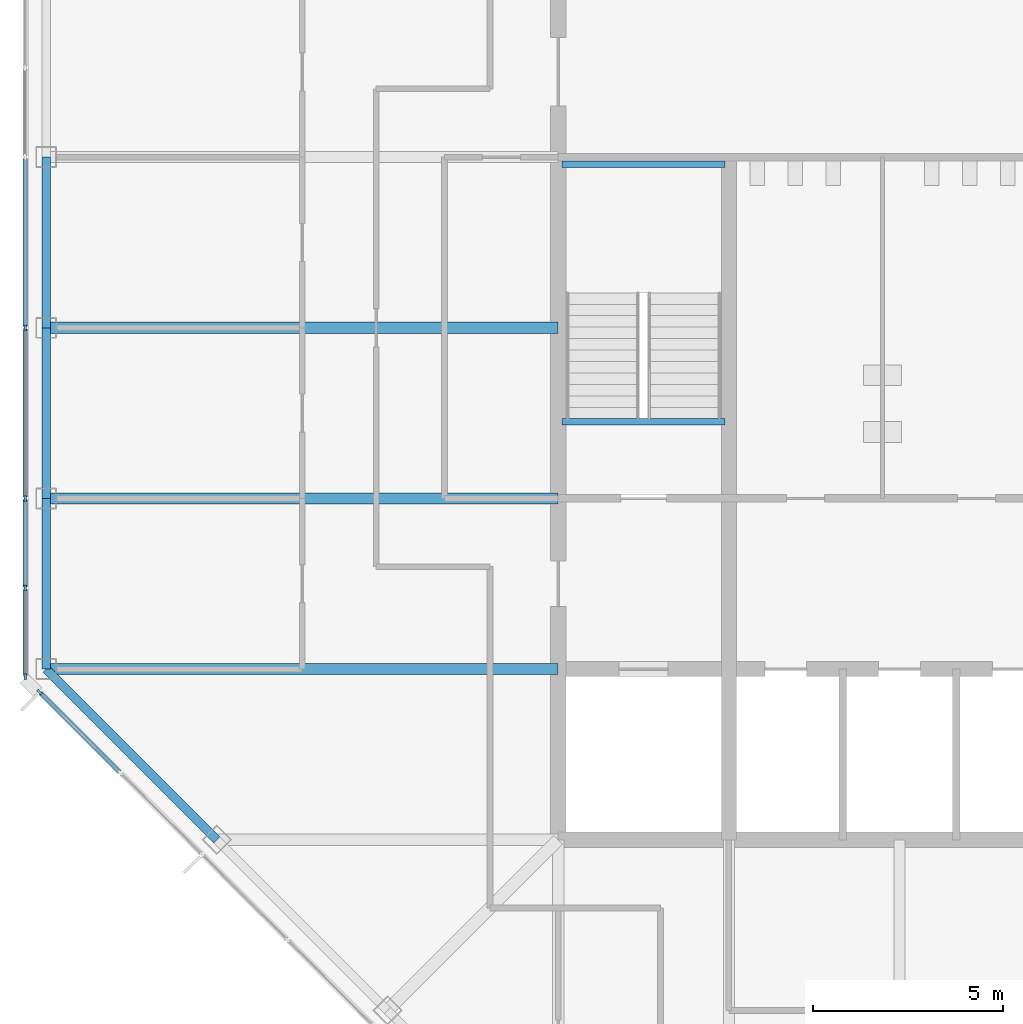
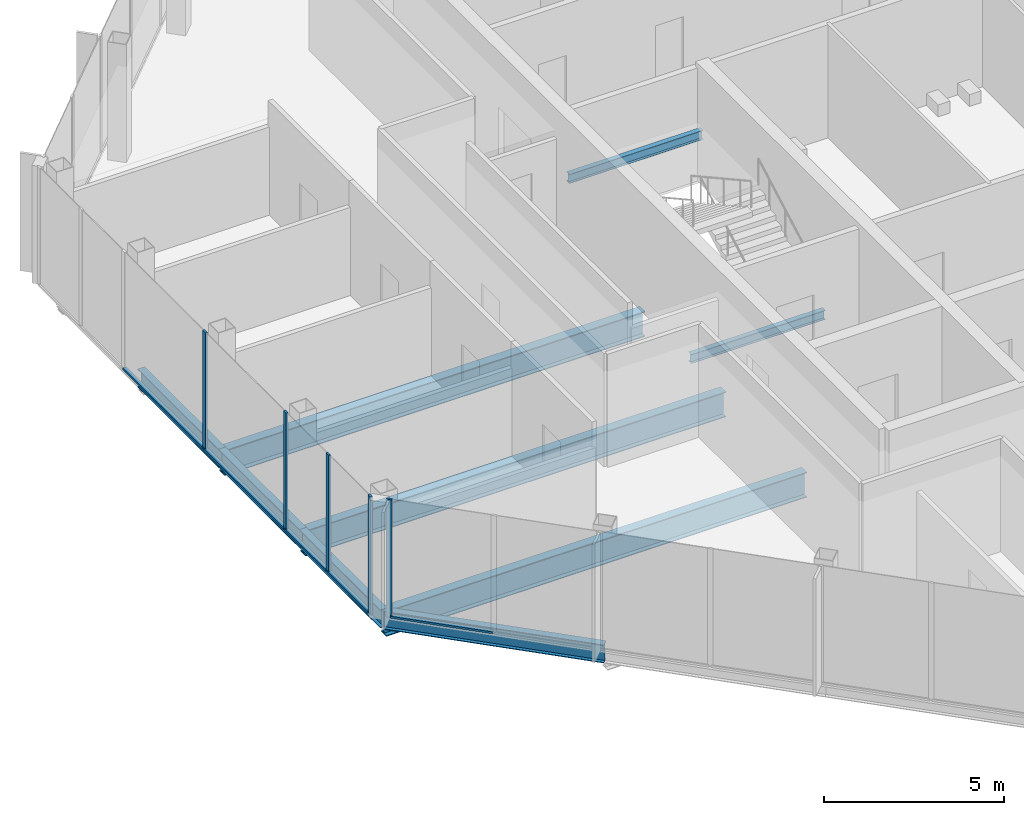
# One storey, part 3 of 14: 10 members, 9 beams, 2 elements without a shape of their own.
"""IFC4 building model written with IfcOpenShell, lengths in metres."""

from ifc_helpers import new_model, si_unit, direction, frame, origin, origin_2d, place, context, subcontext, project, spatial, rectangle, i_section, extrude, material, material_profile, profile_set, type_object, element, aggregate, save


model = new_model("IFC4")

# Units and contexts
model_context = context("Model", 3, precision=1e-05, world=origin(), true_north=direction((0.0, 1.0)))
body_context = subcontext(model_context, "Body", "Model", "MODEL_VIEW")
ifc_project = project(units=[si_unit("LENGTHUNIT", "METRE"), si_unit("AREAUNIT", "SQUARE_METRE"), si_unit("VOLUMEUNIT", "CUBIC_METRE"), si_unit("PLANEANGLEUNIT", "RADIAN"), si_unit("MASSUNIT", "GRAM", prefix="KILO")], contexts=[model_context])

# Site, building, storey
site_placement = place(None, origin())
site = spatial("IfcSite", under=ifc_project, at=site_placement, CompositionType="ELEMENT")
building_placement = place(site_placement, origin())
building = spatial("IfcBuilding", under=site, at=building_placement, Name="Corais Broadcast Tower", CompositionType="ELEMENT")
storey_placement = place(building_placement, frame((0.0, 0.0, 294.60009765625)))
storey = spatial("IfcBuildingStorey", under=building, at=storey_placement, Name="L69", CompositionType="ELEMENT", Elevation=294.60009765625)

# Beams
ifc_material_1 = material(Name="Steel ASTM A572 Grade 50", Category="steel")
ifc_material_profile_1 = material_profile(ifc_material_1, i_section(OverallWidth=0.2939453125, OverallDepth=0.85107421875, WebThickness=0.01611328125, FlangeThickness=0.02685546875, at=origin_2d()), Name="W840x226")
ifc_profile_set_1 = profile_set([ifc_material_profile_1], Name="Steel ASTM A572 Grade 50")
beam_type_1 = type_object("IfcBeamType", Name="Floor beam W840x226", PredefinedType="BEAM", material=ifc_profile_set_1)
for number, where, z_axis, x_axis, name in (
    (1, (0.0, 18.0, -0.585693359375), (1.0, 0.0, 0.0), (0.0, 1.0, 0.0), "B1 E/3 to E/6"),
    (2, (0.0, 22.5, -0.585693359375), (1.0, 0.0, 0.0), (0.0, 1.0, 0.0), "B1 F/3 to F/6"),
    (3, (0.0, 27.0, -0.585693359375), (1.0, 0.0, 0.0), (0.0, 1.0, 0.0), "B1 G/3 to G/6"),
):
    element("IfcBeam", number, at=place(storey_placement, frame(where, z_axis=z_axis, x_axis=x_axis)), inside=storey, type_object=beam_type_1, Name=name, PredefinedType="BEAM", context=body_context, shape_type="SweptSolid", body=[
        extrude(i_section(OverallWidth=0.2939453125, OverallDepth=0.85107421875, WebThickness=0.01611328125, FlangeThickness=0.02685546875, at=origin_2d()), origin(), (0.0, 0.0, 1.0), 13.5),
    ])
ifc_material_2 = material(Name="Steel ASTM A572 Grade 50", Category="steel")
ifc_material_profile_2 = material_profile(ifc_material_2, i_section(OverallWidth=0.1650390625, OverallDepth=0.31005859375, WebThickness=0.005859375, FlangeThickness=0.009765625, at=origin_2d()), Name="W310x38.7")
ifc_profile_set_2 = profile_set([ifc_material_profile_2], Name="Steel ASTM A572 Grade 50")
beam_type_2 = type_object("IfcBeamType", Name="Landing trimmer W310x38.7", PredefinedType="BEAM", material=ifc_profile_set_2)
for number, where, z_axis, x_axis, name in (
    (4, (13.60009765625, 24.52490234375, -0.35498046875), (1.0, 0.0, 0.0), (0.0, 1.0, 0.0), "LT1 stair A landing trimmer L69"),
    (5, (13.60009765625, 31.31005859375, 1.64501953125), (1.0, 0.0, 0.0), (0.0, 1.0, 0.0), "LT1 stair A half landing trimmer L69"),
):
    element("IfcBeam", number, at=place(storey_placement, frame(where, z_axis=z_axis, x_axis=x_axis)), inside=storey, type_object=beam_type_2, Name=name, PredefinedType="BEAM", context=body_context, shape_type="SweptSolid", body=[
        extrude(i_section(OverallWidth=0.1650390625, OverallDepth=0.31005859375, WebThickness=0.005859375, FlangeThickness=0.009765625, at=origin_2d()), origin(), (0.0, 0.0, 1.0), 4.2998046875),
    ])

# Curtain wall, member
ifc_material_3 = material(Name="Aluminium and glass", Category="aluminium")
curtain_wall_type = type_object("IfcCurtainWallType", Name="Unitised fritted curtain wall CW3", PredefinedType="NOTDEFINED", material=ifc_material_3)
curtain_wall_1_placement = place(storey_placement, origin())
curtain_wall_1 = element("IfcCurtainWall", 6, at=curtain_wall_1_placement, inside=storey, type_object=curtain_wall_type, Name="CW3 curtain wall L69 1", PredefinedType="NOTDEFINED")
ifc_material_4 = material(Name="Aluminium 6063-T6", Category="aluminium")
ifc_material_profile_3 = material_profile(ifc_material_4, rectangle(XDim=0.06494140625, YDim=0.159912109375, at=origin_2d()), Name="Mullion CW3 65x160")
ifc_profile_set_3 = profile_set([ifc_material_profile_3], Name="Aluminium 6063-T6")
member_type_1 = type_object("IfcMemberType", Name="Mullion CW3 65x160", PredefinedType="MULLION", material=ifc_profile_set_3)
member_1_placement = place(storey_placement, frame((-0.17333984375, 17.3955078125, 0.0), z_axis=(0.0, 0.0, 1.0), x_axis=(-0.707106781187, -0.707106781187, 0.0)))
member_1 = element("IfcMember", 7, at=member_1_placement, type_object=member_type_1, Name="CW3 mullion 9", PredefinedType="MULLION", context=body_context, shape_type="SweptSolid", body=[
    extrude(rectangle(XDim=0.06494140625, YDim=0.159912109375, at=origin_2d()), origin(), (0.0, 0.0, 1.0), 4.0),
])

# Curtain wall, members
curtain_wall_2_placement = place(storey_placement, origin())
curtain_wall_2 = element("IfcCurtainWall", 8, at=curtain_wall_2_placement, inside=storey, type_object=curtain_wall_type, Name="CW3 curtain wall L69 2", PredefinedType="NOTDEFINED")
member_2_placement = place(storey_placement, frame((-0.550048828125, 17.8046875, 0.0), z_axis=(0.0, 0.0, 1.0), x_axis=(-1.0, 0.0, 0.0)))
member_2 = element("IfcMember", 9, at=member_2_placement, type_object=member_type_1, Name="CW3 mullion 1", PredefinedType="MULLION", context=body_context, shape_type="SweptSolid", body=[
    extrude(rectangle(XDim=0.06494140625, YDim=0.159912109375, at=origin_2d()), origin(), (0.0, 0.0, 1.0), 4.0),
])
member_3_placement = place(storey_placement, frame((-0.550048828125, 20.135986328125, 0.0), z_axis=(0.0, 0.0, 1.0), x_axis=(-1.0, 0.0, 0.0)))
member_3 = element("IfcMember", 10, at=member_3_placement, type_object=member_type_1, Name="CW3 mullion 2", PredefinedType="MULLION", context=body_context, shape_type="SweptSolid", body=[
    extrude(rectangle(XDim=0.06494140625, YDim=0.159912109375, at=origin_2d()), origin(), (0.0, 0.0, 1.0), 4.0),
])
member_4_placement = place(storey_placement, frame((-0.550048828125, 22.5, 0.0), z_axis=(0.0, 0.0, 1.0), x_axis=(-1.0, 0.0, 0.0)))
member_4 = element("IfcMember", 11, at=member_4_placement, type_object=member_type_1, Name="CW3 mullion 3", PredefinedType="MULLION", context=body_context, shape_type="SweptSolid", body=[
    extrude(rectangle(XDim=0.06494140625, YDim=0.159912109375, at=origin_2d()), origin(), (0.0, 0.0, 1.0), 4.0),
])
member_5_placement = place(storey_placement, frame((-0.550048828125, 27.0, 0.0), z_axis=(0.0, 0.0, 1.0), x_axis=(-1.0, 0.0, 0.0)))
member_5 = element("IfcMember", 12, at=member_5_placement, type_object=member_type_1, Name="CW3 mullion 4", PredefinedType="MULLION", context=body_context, shape_type="SweptSolid", body=[
    extrude(rectangle(XDim=0.06494140625, YDim=0.159912109375, at=origin_2d()), origin(), (0.0, 0.0, 1.0), 4.0),
])

# Beams
ifc_material_5 = material(Name="Steel ASTM A572 Grade 50", Category="steel")
ifc_material_profile_4 = material_profile(ifc_material_5, i_section(OverallWidth=0.22998046875, OverallDepth=0.616943359375, WebThickness=0.01318359375, FlangeThickness=0.022216796875, at=origin_2d()), Name="W610x140")
ifc_profile_set_4 = profile_set([ifc_material_profile_4], Name="Steel ASTM A572 Grade 50")
beam_type_3 = type_object("IfcBeamType", Name="Spandrel W610x140", PredefinedType="BEAM", material=ifc_profile_set_4)
beam_placement = place(storey_placement, frame((0.0, 18.0, -0.468505859375), z_axis=(0.707106781187, -0.707106781187, 0.0), x_axis=(0.707106781187, 0.707106781187, 0.0)))
element("IfcBeam", 13, at=beam_placement, inside=storey, type_object=beam_type_3, Name="SB3 E/3 to D/4", PredefinedType="BEAM", context=body_context, shape_type="SweptSolid", body=[
    extrude(i_section(OverallWidth=0.22998046875, OverallDepth=0.616943359375, WebThickness=0.01318359375, FlangeThickness=0.022216796875, at=origin_2d()), origin(), (0.0, 0.0, 1.0), 6.364013671875),
])
for number, where, z_axis, x_axis, name in (
    (14, (0.0, 22.5, -0.468505859375), (0.0, -1.0, 0.0), (1.0, 0.0, 0.0), "SB3 F/3 to E/3"),
    (15, (0.0, 27.0, -0.468505859375), (0.0, -1.0, 0.0), (1.0, 0.0, 0.0), "SB3 G/3 to F/3"),
    (16, (0.0, 31.5, -0.468505859375), (0.0, -1.0, 0.0), (1.0, 0.0, 0.0), "SB3 H/3 to G/3"),
):
    element("IfcBeam", number, at=place(storey_placement, frame(where, z_axis=z_axis, x_axis=x_axis)), inside=storey, type_object=beam_type_3, Name=name, PredefinedType="BEAM", context=body_context, shape_type="SweptSolid", body=[
        extrude(i_section(OverallWidth=0.22998046875, OverallDepth=0.616943359375, WebThickness=0.01318359375, FlangeThickness=0.022216796875, at=origin_2d()), origin(), (0.0, 0.0, 1.0), 4.5),
    ])

# Member
ifc_material_6 = material(Name="Aluminium 6063-T6", Category="aluminium")
ifc_material_profile_5 = material_profile(ifc_material_6, rectangle(XDim=0.1201171875, YDim=0.06494140625, at=origin_2d()), Name="Transom CW3 65x120")
ifc_profile_set_5 = profile_set([ifc_material_profile_5], Name="Aluminium 6063-T6")
member_type_2 = type_object("IfcMemberType", Name="Transom CW3 65x120", PredefinedType="USERDEFINED", material=ifc_profile_set_5)
member_6_placement = place(storey_placement, frame((1.934326171875, 15.287841796875, 0.032470703125), z_axis=(-0.707106781187, 0.707106781187, 0.0), x_axis=(-0.707106781187, -0.707106781187, 0.0)))
member_6 = element("IfcMember", 17, at=member_6_placement, type_object=member_type_2, Name="CW3 transom 8.1", ObjectType="TRANSOM", PredefinedType="USERDEFINED", context=body_context, shape_type="SweptSolid", body=[
    extrude(rectangle(XDim=0.1201171875, YDim=0.06494140625, at=origin_2d()), origin(), (0.0, 0.0, 1.0), 2.9482421875),
])

aggregate(curtain_wall_1, [member_1, member_6])

member_7_placement = place(storey_placement, frame((-0.550048828125, 17.837158203125, 0.032470703125), z_axis=(0.0, 1.0, 0.0), x_axis=(-1.0, 0.0, 0.0)))
member_7 = element("IfcMember", 18, at=member_7_placement, type_object=member_type_2, Name="CW3 transom 1.1", ObjectType="TRANSOM", PredefinedType="USERDEFINED", context=body_context, shape_type="SweptSolid", body=[
    extrude(rectangle(XDim=0.1201171875, YDim=0.06494140625, at=origin_2d()), origin(), (0.0, 0.0, 1.0), 2.266357421875),
])

member_8_placement = place(storey_placement, frame((-0.550048828125, 20.168701171875, 0.032470703125), z_axis=(0.0, 1.0, 0.0), x_axis=(-1.0, 0.0, 0.0)))
member_8 = element("IfcMember", 19, at=member_8_placement, type_object=member_type_2, Name="CW3 transom 2.1", ObjectType="TRANSOM", PredefinedType="USERDEFINED", context=body_context, shape_type="SweptSolid", body=[
    extrude(rectangle(XDim=0.1201171875, YDim=0.06494140625, at=origin_2d()), origin(), (0.0, 0.0, 1.0), 2.298828125),
])

member_9_placement = place(storey_placement, frame((-0.550048828125, 22.532470703125, 0.032470703125), z_axis=(0.0, 1.0, 0.0), x_axis=(-1.0, 0.0, 0.0)))
member_9 = element("IfcMember", 20, at=member_9_placement, type_object=member_type_2, Name="CW3 transom 3.1", ObjectType="TRANSOM", PredefinedType="USERDEFINED", context=body_context, shape_type="SweptSolid", body=[
    extrude(rectangle(XDim=0.1201171875, YDim=0.06494140625, at=origin_2d()), origin(), (0.0, 0.0, 1.0), 4.43505859375),
])

member_10_placement = place(storey_placement, frame((-0.550048828125, 27.032470703125, 0.032470703125), z_axis=(0.0, 1.0, 0.0), x_axis=(-1.0, 0.0, 0.0)))
member_10 = element("IfcMember", 21, at=member_10_placement, type_object=member_type_2, Name="CW3 transom 4.1", ObjectType="TRANSOM", PredefinedType="USERDEFINED", context=body_context, shape_type="SweptSolid", body=[
    extrude(rectangle(XDim=0.1201171875, YDim=0.06494140625, at=origin_2d()), origin(), (0.0, 0.0, 1.0), 4.43505859375),
])

aggregate(curtain_wall_2, [member_2, member_3, member_4, member_5, member_7, member_8, member_9, member_10])

save(model, "model.ifc")
